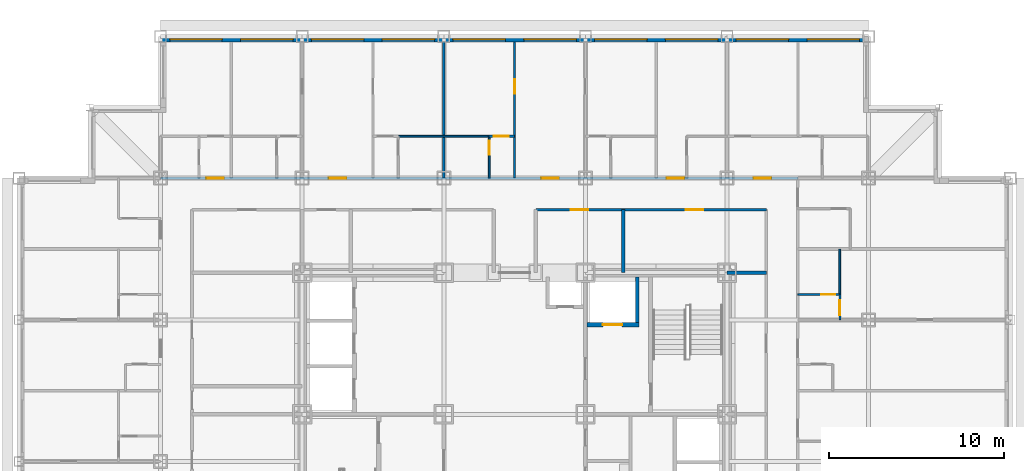
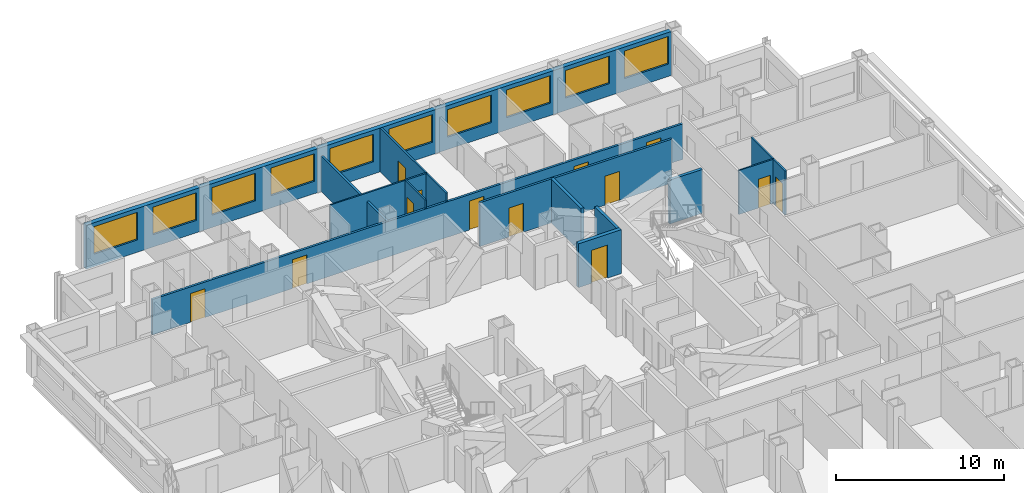
# One storey, part 11 of 15: 15 walls, 13 doors, 10 windows, 23 openings.
"""IFC4 building model written with IfcOpenShell, lengths in metres."""

import ifcopenshell
import ifcopenshell.guid

model = None  # the IFC model being written
_history = None  # IfcOwnerHistory: only IFC2X3 demands one
_inside = {}  # id of a spatial element -> (the spatial element, [elements in it])
_under = {}  # id of a project, library or spatial element -> (it, [spatial elements below it])
_declared = {}  # id of a project -> (the project, [libraries it declares])
_typed = {}  # id of a type object -> (the type object, [elements of that type])
_made_of = {}  # id of a material, layer set ... -> (it, [elements and type objects made of it])


def new_model(schema):
    """Start an empty IFC model of exactly this schema.

    Asked for "IFC4X3", IfcOpenShell would pick the latest addendum, in which some entities
    have other attributes; the version numbers below select the first issue.
    IFC2X3 requires an IfcOwnerHistory on every rooted entity: one is made here for all.
    """
    global model, _history
    if schema == "IFC4X3":
        model = ifcopenshell.file(schema_version=(4, 3, 0, 0))
    else:
        model = ifcopenshell.file(schema=schema)
    _inside.clear()
    _under.clear()
    _declared.clear()
    _typed.clear()
    _made_of.clear()
    _history = None
    if model.schema == "IFC2X3":
        org = make("IfcOrganization", Name="unknown")
        user = make(
            "IfcPersonAndOrganization",
            ThePerson=make("IfcPerson", FamilyName="unknown"),
            TheOrganization=org,
        )
        app = make(
            "IfcApplication",
            ApplicationDeveloper=org,
            Version="unknown",
            ApplicationFullName="unknown",
            ApplicationIdentifier="unknown",
        )
        _history = make(
            "IfcOwnerHistory",
            OwningUser=user,
            OwningApplication=app,
            ChangeAction="ADDED",
            CreationDate=0,
        )
    return model


def make(cls, **values):
    """One entity of the class cls with the attributes given. An attribute that is None is left unset."""
    return model.create_entity(
        cls, **{name: value for name, value in values.items() if value is not None}
    )


def rooted(cls, **values):
    """An entity with a GlobalId (a new one), such as an element, a storey or a relation."""
    return make(cls, GlobalId=ifcopenshell.guid.new(), OwnerHistory=_history, **values)


def si_unit(unit_type, name, prefix=None):
    """IfcSIUnit, for example si_unit("LENGTHUNIT", "METRE", prefix="MILLI")."""
    return make("IfcSIUnit", UnitType=unit_type, Prefix=prefix, Name=name)


def assignment(units):
    """IfcUnitAssignment: the units of a project."""
    return None if units is None else make("IfcUnitAssignment", Units=units)


def point(xyz):
    """IfcCartesianPoint."""
    return None if xyz is None else make("IfcCartesianPoint", Coordinates=xyz)


def direction(xyz):
    """IfcDirection."""
    return None if xyz is None else make("IfcDirection", DirectionRatios=xyz)


def frame(location, z_axis=None, x_axis=None):
    """IfcAxis2Placement3D, a coordinate frame: its origin and axes. An axis left out is left unset."""
    return make(
        "IfcAxis2Placement3D",
        Location=point(location),
        Axis=direction(z_axis),
        RefDirection=direction(x_axis),
    )


def frame_2d(location, x_axis=None):
    """IfcAxis2Placement2D, a coordinate frame in the plane: its origin and x axis."""
    return make(
        "IfcAxis2Placement2D", Location=point(location), RefDirection=direction(x_axis)
    )


def origin():
    """The frame at (0, 0, 0) with its axes left unset."""
    return frame((0.0, 0.0, 0.0))


def place(relative_to, where):
    """IfcLocalPlacement: puts the frame where relative to a parent placement (None: the world)."""
    return make(
        "IfcLocalPlacement", PlacementRelTo=relative_to, RelativePlacement=where
    )


def context(
    kind, dimensions, precision=None, world=None, true_north=None, identifier=None
):
    """IfcGeometricRepresentationContext, for example the 3D "Model" context."""
    return make(
        "IfcGeometricRepresentationContext",
        ContextIdentifier=identifier,
        ContextType=kind,
        CoordinateSpaceDimension=dimensions,
        Precision=precision,
        WorldCoordinateSystem=world,
        TrueNorth=true_north,
    )


def subcontext(parent, identifier, kind, view, scale=None):
    """IfcGeometricRepresentationSubContext, for example "Body" below "Model"."""
    return make(
        "IfcGeometricRepresentationSubContext",
        ContextIdentifier=identifier,
        ContextType=kind,
        ParentContext=parent,
        TargetScale=scale,
        TargetView=view,
    )


def project(units=None, contexts=None):
    """IfcProject with its units and contexts."""
    return rooted(
        "IfcProject",
        Name="project",
        RepresentationContexts=contexts,
        UnitsInContext=assignment(units),
    )


def spatial(cls, under=None, at=None, **own):
    """A site, building, storey or space (cls), placed at a placement, below another one or the project."""
    s = rooted(cls, ObjectPlacement=at, **own)
    if under is not None:
        _under.setdefault(under.id(), (under, []))[1].append(s)
    return s


def profile(cls, at=None, kind="AREA", **sizes):
    """A parametric profile (cls). Its sizes go by their IFC names, for example OverallWidth=200.0."""
    return make(cls, ProfileType=kind, Position=at, **sizes)


def rectangle(**sizes):
    """IfcRectangleProfileDef."""
    return profile("IfcRectangleProfileDef", **sizes)


def extrude(swept, where, along, depth):
    """IfcExtrudedAreaSolid: the profile swept, set in the frame where, extruded along a direction by depth."""
    return make(
        "IfcExtrudedAreaSolid",
        SweptArea=swept,
        Position=where,
        ExtrudedDirection=direction(along),
        Depth=depth,
    )


def shape(context_of_items, identifier, shape_type, items):
    """IfcShapeRepresentation: the items that make up one representation, for example the "Body"."""
    return make(
        "IfcShapeRepresentation",
        ContextOfItems=context_of_items,
        RepresentationIdentifier=identifier,
        RepresentationType=shape_type,
        Items=items,
    )


def material(Name=None, Category=None):
    """IfcMaterial."""
    return make("IfcMaterial", Name=Name, Category=Category)


def layer(
    of_material, thickness, ventilated=None, Name=None, Category=None, Priority=None
):
    """IfcMaterialLayer: one layer of a wall or slab, of a material (None: an air gap)."""
    return make(
        "IfcMaterialLayer",
        Material=of_material,
        LayerThickness=thickness,
        IsVentilated=ventilated,
        Name=Name,
        Category=Category,
        Priority=Priority,
    )


def layer_set(layers, Name=None):
    """IfcMaterialLayerSet."""
    return make("IfcMaterialLayerSet", MaterialLayers=layers, LayerSetName=Name)


def made_of(thing, what):
    """Note that an element or type object is made of a material, layer set ...; save() writes the relation."""
    if what is not None:
        _made_of.setdefault(what.id(), (what, []))[1].append(thing)
    return thing


def type_object(cls, material=None, **own):
    """A type object (cls), such as IfcWallType, which elements share."""
    return made_of(rooted(cls, **own), material)


def element(
    cls,
    number,
    at=None,
    inside=None,
    cuts=None,
    type_object=None,
    material=None,
    context=None,
    identifier="Body",
    shape_type=None,
    held_by="IfcProductDefinitionShape",
    body=None,
    shapes=None,
    **own,
):
    """One element of the class cls, such as IfcWall. Its Tag is "e" and its number.

    at: its placement. inside: the storey or other place that contains it. cuts: it is an
    opening in that element (IfcRelVoidsElement). A single representation is given by context,
    identifier, shape_type and body (its items); several are given by shapes. held_by: the class
    of the entity that holds the representations. save() writes the other relations.
    """
    e = rooted(cls, Tag="e%d" % number, ObjectPlacement=at, **own)
    if body is not None:
        shapes = [shape(context, identifier, shape_type, body)]
    if shapes is not None:
        e.Representation = make(held_by, Representations=shapes)
    if inside is not None:
        _inside.setdefault(inside.id(), (inside, []))[1].append(e)
    if cuts is not None:
        rooted(
            "IfcRelVoidsElement", RelatingBuildingElement=cuts, RelatedOpeningElement=e
        )
    if type_object is not None:
        _typed.setdefault(type_object.id(), (type_object, []))[1].append(e)
    return made_of(e, material)


def fill(opening, filler):
    """IfcRelFillsElement: the door or window that sits in an opening."""
    return rooted(
        "IfcRelFillsElement",
        RelatingOpeningElement=opening,
        RelatedBuildingElement=filler,
    )


def aggregate(whole, parts):
    """IfcRelAggregates: a whole, such as a stair, and the parts it consists of."""
    return rooted("IfcRelAggregates", RelatingObject=whole, RelatedObjects=parts)


def save(model, path):
    """Write the relations noted so far, then the file.

    IfcRelAggregates (storeys below a building ...), IfcRelContainedInSpatialStructure (elements
    in a storey), IfcRelDefinesByType, IfcRelAssociatesMaterial and IfcRelDeclares: one each for
    every whole, place, type object, material and project.
    """
    for whole, parts in _under.values():
        aggregate(whole, parts)
    for where, things in _inside.values():
        rooted(
            "IfcRelContainedInSpatialStructure",
            RelatedElements=things,
            RelatingStructure=where,
        )
    for kind, things in _typed.values():
        rooted("IfcRelDefinesByType", RelatedObjects=things, RelatingType=kind)
    for what, things in _made_of.values():
        rooted("IfcRelAssociatesMaterial", RelatedObjects=things, RelatingMaterial=what)
    for by, libraries in _declared.values():
        rooted("IfcRelDeclares", RelatingContext=by, RelatedDefinitions=libraries)
    model.write(path)


model = new_model("IFC4")

# Units and contexts
model_context = context("Model", 3, precision=1e-05, world=origin(), true_north=direction((0.0, 1.0)))
body_context = subcontext(model_context, "Body", "Model", "MODEL_VIEW")
ifc_project = project(units=[si_unit("LENGTHUNIT", "METRE"), si_unit("AREAUNIT", "SQUARE_METRE"), si_unit("VOLUMEUNIT", "CUBIC_METRE"), si_unit("PLANEANGLEUNIT", "RADIAN"), si_unit("MASSUNIT", "GRAM", prefix="KILO")], contexts=[model_context])

# Site, building, storey
site_placement = place(None, origin())
site = spatial("IfcSite", under=ifc_project, at=site_placement, CompositionType="ELEMENT")
building_placement = place(site_placement, origin())
building = spatial("IfcBuilding", under=site, at=building_placement, Name="Kopane Lantern Tower", CompositionType="ELEMENT")
storey_placement = place(building_placement, frame((0.0, 0.0, 140.800048828125)))
storey = spatial("IfcBuildingStorey", under=building, at=storey_placement, Name="L36", CompositionType="ELEMENT", Elevation=140.800048828125)

# Wall, opening, door
ifc_material_1 = material(Name="Gypsum board on steel studs", Category="steel")
ifc_layer_1 = layer(ifc_material_1, 0.1201171875)
ifc_layer_set_1 = layer_set([ifc_layer_1], Name="APARTMENT INTERNAL WALL 120")
wall_type_1 = type_object("IfcWallType", Name="APARTMENT INTERNAL WALL 120", PredefinedType="PARTITIONING", material=ifc_layer_set_1)
wall_1_placement = place(storey_placement, frame((28.35009765625, 45.89990234375, 0.0), z_axis=(0.0, 0.0, 1.0), x_axis=(0.0, 1.0, 0.0)))
wall_1 = element("IfcWall", 1, at=wall_1_placement, inside=storey, type_object=wall_type_1, Name="Apartment Internal Wall 120 L36", PredefinedType="PARTITIONING", context=body_context, shape_type="SweptSolid", body=[
    extrude(rectangle(XDim=7.800048828125, YDim=0.1201171875, at=frame_2d((3.89990234375, 0.0))), origin(), (0.0, 0.0, 1.0), 3.18994140625),
])
opening_1_placement = place(wall_1_placement, frame((4.824951171875, 0.0, 0.0)))
opening_1 = element("IfcOpeningElement", 2, at=opening_1_placement, cuts=wall_1, Name="Opening L36-038", PredefinedType="OPENING", context=body_context, shape_type="SweptSolid", body=[
    extrude(rectangle(XDim=0.85009765625, YDim=2.10009765625, at=frame_2d((0.425048828125, 1.050048828125))), frame((0.0, 0.070068359375, 0.0), z_axis=(0.0, -1.0, 0.0), x_axis=(1.0, 0.0, 0.0)), (0.0, 0.0, 1.0), 0.14013671875),
])
ifc_material_2 = material(Name="Timber door set", Category="wood")
door_type_1 = type_object("IfcDoorType", Name="DOOR D4 850x2100", OperationType="SINGLE_SWING_LEFT", PredefinedType="DOOR", material=ifc_material_2)
door_1_placement = place(opening_1_placement, origin())
door_1 = element("IfcDoor", 3, at=door_1_placement, inside=storey, type_object=door_type_1, Name="Door L36-038", OperationType="SINGLE_SWING_LEFT", OverallHeight=2.10009765625, OverallWidth=0.85009765625, PredefinedType="DOOR", context=body_context, shape_type="SweptSolid", body=[
    extrude(rectangle(XDim=0.85009765625, YDim=2.10009765625, at=frame_2d((0.425048828125, 1.050048828125))), frame((0.0, 0.02490234375, 0.0), z_axis=(0.0, -1.0, 0.0), x_axis=(1.0, 0.0, 0.0)), (0.0, 0.0, 1.0), 0.050048828125),
])
fill(opening_1, door_1)

wall_2_placement = place(storey_placement, frame((26.889892578125, 48.300048828125, 0.0), z_axis=(0.0, 0.0, 1.0), x_axis=(1.0, 0.0, 0.0)))
wall_2 = element("IfcWall", 4, at=wall_2_placement, inside=storey, type_object=wall_type_1, Name="Apartment Internal Wall 120 L36", PredefinedType="PARTITIONING", context=body_context, shape_type="SweptSolid", body=[
    extrude(rectangle(XDim=1.460205078125, YDim=0.1201171875, at=frame_2d((0.72998046875, 0.0))), origin(), (0.0, 0.0, 1.0), 3.18994140625),
])
opening_2_placement = place(wall_2_placement, frame((0.27490234375, 0.0, 0.0)))
opening_2 = element("IfcOpeningElement", 5, at=opening_2_placement, cuts=wall_2, Name="Opening L36-092", PredefinedType="OPENING", context=body_context, shape_type="SweptSolid", body=[
    extrude(rectangle(XDim=0.85009765625, YDim=2.10009765625, at=frame_2d((0.425048828125, 1.050048828125))), frame((0.0, 0.070068359375, 0.0), z_axis=(0.0, -1.0, 0.0), x_axis=(1.0, 0.0, 0.0)), (0.0, 0.0, 1.0), 0.14013671875),
])
door_2_placement = place(opening_2_placement, origin())
door_2 = element("IfcDoor", 6, at=door_2_placement, inside=storey, type_object=door_type_1, Name="Door L36-092", OperationType="SINGLE_SWING_RIGHT", OverallHeight=2.10009765625, OverallWidth=0.85009765625, PredefinedType="DOOR", context=body_context, shape_type="SweptSolid", body=[
    extrude(rectangle(XDim=0.85009765625, YDim=2.10009765625, at=frame_2d((0.425048828125, 1.050048828125))), frame((0.0, 0.02490234375, 0.0), z_axis=(0.0, -1.0, 0.0), x_axis=(1.0, 0.0, 0.0)), (0.0, 0.0, 1.0), 0.050048828125),
])
fill(opening_2, door_2)

wall_3_placement = place(storey_placement, frame((46.949951171875, 39.260009765625, 0.0), z_axis=(0.0, 0.0, 1.0), x_axis=(0.0, -1.0, 0.0)))
wall_3 = element("IfcWall", 7, at=wall_3_placement, inside=storey, type_object=wall_type_1, Name="Apartment Internal Wall 120 L36", PredefinedType="PARTITIONING", context=body_context, shape_type="SweptSolid", body=[
    extrude(rectangle(XDim=1.4599609375, YDim=0.1201171875, at=frame_2d((0.72998046875, 0.0))), origin(), (0.0, 0.0, 1.0), 3.18994140625),
])
opening_3_placement = place(wall_3_placement, frame((0.3349609375, 0.0, 0.0)))
opening_3 = element("IfcOpeningElement", 8, at=opening_3_placement, cuts=wall_3, Name="Opening L36-097", PredefinedType="OPENING", context=body_context, shape_type="SweptSolid", body=[
    extrude(rectangle(XDim=0.85009765625, YDim=2.10009765625, at=frame_2d((0.425048828125, 1.050048828125))), frame((0.0, 0.070068359375, 0.0), z_axis=(0.0, -1.0, 0.0), x_axis=(1.0, 0.0, 0.0)), (0.0, 0.0, 1.0), 0.14013671875),
])
door_3_placement = place(opening_3_placement, origin())
door_3 = element("IfcDoor", 9, at=door_3_placement, inside=storey, type_object=door_type_1, Name="Door L36-097", OperationType="SINGLE_SWING_RIGHT", OverallHeight=2.10009765625, OverallWidth=0.85009765625, PredefinedType="DOOR", context=body_context, shape_type="SweptSolid", body=[
    extrude(rectangle(XDim=0.85009765625, YDim=2.10009765625, at=frame_2d((0.425048828125, 1.050048828125))), frame((0.0, 0.02490234375, 0.0), z_axis=(0.0, -1.0, 0.0), x_axis=(1.0, 0.0, 0.0)), (0.0, 0.0, 1.0), 0.050048828125),
])
fill(opening_3, door_3)

# Wall
ifc_material_3 = material(Name="Moisture-resistant board on steel studs", Category="steel")
ifc_layer_2 = layer(ifc_material_3, 0.10009765625)
ifc_layer_set_2 = layer_set([ifc_layer_2], Name="BATHROOM WALL 100")
wall_type_2 = type_object("IfcWallType", Name="BATHROOM WALL 100", PredefinedType="PARTITIONING", material=ifc_layer_set_2)
wall_4_placement = place(storey_placement, frame((21.699951171875, 48.300048828125, 0.0), z_axis=(0.0, 0.0, 1.0), x_axis=(1.0, 0.0, 0.0)))
element("IfcWall", 10, at=wall_4_placement, inside=storey, type_object=wall_type_2, Name="Bathroom Wall 100 L36", PredefinedType="PARTITIONING", context=body_context, shape_type="SweptSolid", body=[
    extrude(rectangle(XDim=5.199951171875, YDim=0.10009765625, at=frame_2d((2.60009765625, 0.0))), origin(), (0.0, 0.0, 1.0), 3.18994140625),
])

# Wall, opening, door
wall_5_placement = place(storey_placement, frame((26.89990234375, 45.89990234375, 0.0), z_axis=(0.0, 0.0, 1.0), x_axis=(0.0, 1.0, 0.0)))
wall_5 = element("IfcWall", 11, at=wall_5_placement, inside=storey, type_object=wall_type_2, Name="Bathroom Wall 100 L36", PredefinedType="PARTITIONING", context=body_context, shape_type="SweptSolid", body=[
    extrude(rectangle(XDim=2.400146484375, YDim=0.10009765625, at=frame_2d((1.2001953125, 0.0))), origin(), (0.0, 0.0, 1.0), 3.18994140625),
])
opening_4_placement = place(wall_5_placement, frame((1.35009765625, 0.0, 0.0)))
opening_4 = element("IfcOpeningElement", 12, at=opening_4_placement, cuts=wall_5, Name="Opening L36-037", PredefinedType="OPENING", context=body_context, shape_type="SweptSolid", body=[
    extrude(rectangle(XDim=0.800048828125, YDim=2.10009765625, at=frame_2d((0.39990234375, 1.050048828125))), frame((0.0, 0.06005859375, 0.0), z_axis=(0.0, -1.0, 0.0), x_axis=(1.0, 0.0, 0.0)), (0.0, 0.0, 1.0), 0.1201171875),
])
ifc_material_4 = material(Name="Timber door set", Category="wood")
door_type_2 = type_object("IfcDoorType", Name="DOOR D2 800x2100", OperationType="SINGLE_SWING_LEFT", PredefinedType="DOOR", material=ifc_material_4)
door_4_placement = place(opening_4_placement, origin())
door_4 = element("IfcDoor", 13, at=door_4_placement, inside=storey, type_object=door_type_2, Name="Door L36-037", OperationType="SINGLE_SWING_LEFT", OverallHeight=2.10009765625, OverallWidth=0.800048828125, PredefinedType="DOOR", context=body_context, shape_type="SweptSolid", body=[
    extrude(rectangle(XDim=0.800048828125, YDim=2.10009765625, at=frame_2d((0.39990234375, 1.050048828125))), frame((0.0, 0.02490234375, 0.0), z_axis=(0.0, -1.0, 0.0), x_axis=(1.0, 0.0, 0.0)), (0.0, 0.0, 1.0), 0.050048828125),
])
fill(opening_4, door_4)

# Wall
wall_6_placement = place(storey_placement, frame((46.949951171875, 39.25, 0.0), z_axis=(0.0, 0.0, 1.0), x_axis=(0.0, 1.0, 0.0)))
element("IfcWall", 14, at=wall_6_placement, inside=storey, type_object=wall_type_2, Name="Bathroom Wall 100 L36", PredefinedType="PARTITIONING", context=body_context, shape_type="SweptSolid", body=[
    extrude(rectangle(XDim=2.60009765625, YDim=0.10009765625, at=frame_2d((1.300048828125, 0.0))), origin(), (0.0, 0.0, 1.0), 3.18994140625),
])

# Wall, opening, door
wall_7_placement = place(storey_placement, frame((44.550048828125, 39.25, 0.0), z_axis=(0.0, 0.0, 1.0), x_axis=(1.0, 0.0, 0.0)))
wall_7 = element("IfcWall", 15, at=wall_7_placement, inside=storey, type_object=wall_type_2, Name="Bathroom Wall 100 L36", PredefinedType="PARTITIONING", context=body_context, shape_type="SweptSolid", body=[
    extrude(rectangle(XDim=2.39990234375, YDim=0.10009765625, at=frame_2d((1.199951171875, 0.0))), origin(), (0.0, 0.0, 1.0), 3.18994140625),
])
opening_5_placement = place(wall_7_placement, frame((1.35009765625, 0.0, 0.0)))
opening_5 = element("IfcOpeningElement", 16, at=opening_5_placement, cuts=wall_7, Name="Opening L36-066", PredefinedType="OPENING", context=body_context, shape_type="SweptSolid", body=[
    extrude(rectangle(XDim=0.800048828125, YDim=2.10009765625, at=frame_2d((0.39990234375, 1.050048828125))), frame((0.0, 0.06005859375, 0.0), z_axis=(0.0, -1.0, 0.0), x_axis=(1.0, 0.0, 0.0)), (0.0, 0.0, 1.0), 0.1201171875),
])
door_5_placement = place(opening_5_placement, origin())
door_5 = element("IfcDoor", 17, at=door_5_placement, inside=storey, type_object=door_type_2, Name="Door L36-066", OperationType="SINGLE_SWING_LEFT", OverallHeight=2.10009765625, OverallWidth=0.800048828125, PredefinedType="DOOR", context=body_context, shape_type="SweptSolid", body=[
    extrude(rectangle(XDim=0.800048828125, YDim=2.10009765625, at=frame_2d((0.39990234375, 1.050048828125))), frame((0.0, 0.02490234375, 0.0), z_axis=(0.0, -1.0, 0.0), x_axis=(1.0, 0.0, 0.0)), (0.0, 0.0, 1.0), 0.050048828125),
])
fill(opening_5, door_5)

ifc_material_5 = material(Name="Gypsum shaft wall EI 120", Category="gypsum")
ifc_layer_3 = layer(ifc_material_5, 0.25)
ifc_layer_set_3 = layer_set([ifc_layer_3], Name="CORE SHAFT WALL 250 EI 120")
wall_type_3 = type_object("IfcWallType", Name="CORE SHAFT WALL 250 EI 120", PredefinedType="SOLIDWALL", material=ifc_layer_set_3)
wall_8_placement = place(storey_placement, frame((32.5, 37.52490234375, 0.0), z_axis=(0.0, 0.0, 1.0), x_axis=(1.0, 0.0, 0.0)))
wall_8 = element("IfcWall", 18, at=wall_8_placement, inside=storey, type_object=wall_type_3, Name="Core shaft wall L36 YLF2", PredefinedType="SOLIDWALL", context=body_context, shape_type="SweptSolid", body=[
    extrude(rectangle(XDim=2.949951171875, YDim=0.25, at=frame_2d((1.47509765625, 0.0))), origin(), (0.0, 0.0, 1.0), 3.18994140625),
])
opening_6_placement = place(wall_8_placement, frame((0.89990234375, 0.0, 0.0)))
opening_6 = element("IfcOpeningElement", 19, at=opening_6_placement, cuts=wall_8, Name="Opening 36.LD-LF2", PredefinedType="OPENING", context=body_context, shape_type="SweptSolid", body=[
    extrude(rectangle(XDim=1.10009765625, YDim=2.39990234375, at=frame_2d((0.550048828125, 1.199951171875))), frame((0.0, 0.135009765625, 0.0), z_axis=(0.0, -1.0, 0.0), x_axis=(1.0, 0.0, 0.0)), (0.0, 0.0, 1.0), 0.27001953125),
])
ifc_material_6 = material(Name="Steel door set", Category="steel")
door_type_3 = type_object("IfcDoorType", Name="LIFT LANDING DOOR 1100x2400 FD60", OperationType="DOUBLE_DOOR_SLIDING", PredefinedType="DOOR", material=ifc_material_6)
door_6_placement = place(opening_6_placement, origin())
door_6 = element("IfcDoor", 20, at=door_6_placement, inside=storey, type_object=door_type_3, Name="Landing door LF2 L36", OperationType="DOUBLE_DOOR_SLIDING", OverallHeight=2.39990234375, OverallWidth=1.10009765625, PredefinedType="DOOR", context=body_context, shape_type="SweptSolid", body=[
    extrude(rectangle(XDim=1.10009765625, YDim=2.39990234375, at=frame_2d((0.550048828125, 1.199951171875))), frame((0.0, 0.02490234375, 0.0), z_axis=(0.0, -1.0, 0.0), x_axis=(1.0, 0.0, 0.0)), (0.0, 0.0, 1.0), 0.050048828125),
])
fill(opening_6, door_6)

# Wall, openings, doors
ifc_material_7 = material(Name="Gypsum board on steel studs", Category="steel")
ifc_layer_4 = layer(ifc_material_7, 0.14990234375)
ifc_layer_set_4 = layer_set([ifc_layer_4], Name="CORRIDOR WALL 150 EI 60")
wall_type_4 = type_object("IfcWallType", Name="CORRIDOR WALL 150 EI 60", PredefinedType="PARTITIONING", material=ifc_layer_set_4)
wall_9_placement = place(storey_placement, frame((8.10009765625, 45.89990234375, 0.0), z_axis=(0.0, 0.0, 1.0), x_axis=(1.0, 0.0, 0.0)))
wall_9 = element("IfcWall", 21, at=wall_9_placement, inside=storey, type_object=wall_type_4, Name="Corridor Wall 150 Ei 60 L36", PredefinedType="PARTITIONING", context=body_context, shape_type="SweptSolid", body=[
    extrude(rectangle(XDim=36.449951171875, YDim=0.14990234375, at=frame_2d((18.22509765625, 0.0))), origin(), (0.0, 0.0, 1.0), 2.57763671875),
])
opening_7_placement = place(wall_9_placement, frame((9.625, 0.0, 0.0)))
opening_7 = element("IfcOpeningElement", 22, at=opening_7_placement, cuts=wall_9, Name="Opening L36-031", PredefinedType="OPENING", context=body_context, shape_type="SweptSolid", body=[
    extrude(rectangle(XDim=1.0, YDim=2.10009765625, at=frame_2d((0.5, 1.050048828125))), frame((0.0, 0.0849609375, 0.0), z_axis=(0.0, -1.0, 0.0), x_axis=(1.0, 0.0, 0.0)), (0.0, 0.0, 1.0), 0.169921875),
])
opening_8_placement = place(wall_9_placement, frame((21.77490234375, 0.0, 0.0)))
opening_8 = element("IfcOpeningElement", 23, at=opening_8_placement, cuts=wall_9, Name="Opening L36-036", PredefinedType="OPENING", context=body_context, shape_type="SweptSolid", body=[
    extrude(rectangle(XDim=1.0, YDim=2.10009765625, at=frame_2d((0.5, 1.050048828125))), frame((0.0, 0.0849609375, 0.0), z_axis=(0.0, -1.0, 0.0), x_axis=(1.0, 0.0, 0.0)), (0.0, 0.0, 1.0), 0.169921875),
])
opening_9_placement = place(wall_9_placement, frame((28.949951171875, 0.0, 0.0)))
opening_9 = element("IfcOpeningElement", 24, at=opening_9_placement, cuts=wall_9, Name="Opening L36-042", PredefinedType="OPENING", context=body_context, shape_type="SweptSolid", body=[
    extrude(rectangle(XDim=1.0, YDim=2.10009765625, at=frame_2d((0.5, 1.050048828125))), frame((0.0, 0.0849609375, 0.0), z_axis=(0.0, -1.0, 0.0), x_axis=(1.0, 0.0, 0.0)), (0.0, 0.0, 1.0), 0.169921875),
])
opening_10_placement = place(wall_9_placement, frame((33.925048828125, 0.0, 0.0)))
opening_10 = element("IfcOpeningElement", 25, at=opening_10_placement, cuts=wall_9, Name="Opening L36-080", PredefinedType="OPENING", context=body_context, shape_type="SweptSolid", body=[
    extrude(rectangle(XDim=1.0, YDim=2.10009765625, at=frame_2d((0.5, 1.050048828125))), frame((0.0, 0.0849609375, 0.0), z_axis=(0.0, -1.0, 0.0), x_axis=(1.0, 0.0, 0.0)), (0.0, 0.0, 1.0), 0.169921875),
])
opening_11_placement = place(wall_9_placement, frame((2.625, 0.0, 0.0)))
opening_11 = element("IfcOpeningElement", 26, at=opening_11_placement, cuts=wall_9, Name="Opening L36-085", PredefinedType="OPENING", context=body_context, shape_type="SweptSolid", body=[
    extrude(rectangle(XDim=1.0, YDim=2.10009765625, at=frame_2d((0.5, 1.050048828125))), frame((0.0, 0.0849609375, 0.0), z_axis=(0.0, -1.0, 0.0), x_axis=(1.0, 0.0, 0.0)), (0.0, 0.0, 1.0), 0.169921875),
])
ifc_material_8 = material(Name="Steel door set", Category="steel")
door_type_4 = type_object("IfcDoorType", Name="DOOR D1 1000x2100 FD30S", OperationType="SINGLE_SWING_LEFT", PredefinedType="DOOR", material=ifc_material_8)
door_7_placement = place(opening_7_placement, origin())
door_7 = element("IfcDoor", 27, at=door_7_placement, inside=storey, type_object=door_type_4, Name="Door L36-031", OperationType="SINGLE_SWING_RIGHT", OverallHeight=2.10009765625, OverallWidth=1.0, PredefinedType="DOOR", context=body_context, shape_type="SweptSolid", body=[
    extrude(rectangle(XDim=1.0, YDim=2.10009765625, at=frame_2d((0.5, 1.050048828125))), frame((0.0, 0.02490234375, 0.0), z_axis=(0.0, -1.0, 0.0), x_axis=(1.0, 0.0, 0.0)), (0.0, 0.0, 1.0), 0.050048828125),
])
fill(opening_7, door_7)
door_8_placement = place(opening_8_placement, origin())
door_8 = element("IfcDoor", 28, at=door_8_placement, inside=storey, type_object=door_type_4, Name="Door L36-036", OperationType="SINGLE_SWING_LEFT", OverallHeight=2.10009765625, OverallWidth=1.0, PredefinedType="DOOR", context=body_context, shape_type="SweptSolid", body=[
    extrude(rectangle(XDim=1.0, YDim=2.10009765625, at=frame_2d((0.5, 1.050048828125))), frame((0.0, 0.02490234375, 0.0), z_axis=(0.0, -1.0, 0.0), x_axis=(1.0, 0.0, 0.0)), (0.0, 0.0, 1.0), 0.050048828125),
])
fill(opening_8, door_8)
door_9_placement = place(opening_9_placement, origin())
door_9 = element("IfcDoor", 29, at=door_9_placement, inside=storey, type_object=door_type_4, Name="Door L36-042", OperationType="SINGLE_SWING_RIGHT", OverallHeight=2.10009765625, OverallWidth=1.0, PredefinedType="DOOR", context=body_context, shape_type="SweptSolid", body=[
    extrude(rectangle(XDim=1.0, YDim=2.10009765625, at=frame_2d((0.5, 1.050048828125))), frame((0.0, 0.02490234375, 0.0), z_axis=(0.0, -1.0, 0.0), x_axis=(1.0, 0.0, 0.0)), (0.0, 0.0, 1.0), 0.050048828125),
])
fill(opening_9, door_9)
door_10_placement = place(opening_10_placement, origin())
door_10 = element("IfcDoor", 30, at=door_10_placement, inside=storey, type_object=door_type_4, Name="Door L36-080", OperationType="SINGLE_SWING_LEFT", OverallHeight=2.10009765625, OverallWidth=1.0, PredefinedType="DOOR", context=body_context, shape_type="SweptSolid", body=[
    extrude(rectangle(XDim=1.0, YDim=2.10009765625, at=frame_2d((0.5, 1.050048828125))), frame((0.0, 0.02490234375, 0.0), z_axis=(0.0, -1.0, 0.0), x_axis=(1.0, 0.0, 0.0)), (0.0, 0.0, 1.0), 0.050048828125),
])
fill(opening_10, door_10)
door_11_placement = place(opening_11_placement, origin())
door_11 = element("IfcDoor", 31, at=door_11_placement, inside=storey, type_object=door_type_4, Name="Door L36-085", OperationType="SINGLE_SWING_LEFT", OverallHeight=2.10009765625, OverallWidth=1.0, PredefinedType="DOOR", context=body_context, shape_type="SweptSolid", body=[
    extrude(rectangle(XDim=1.0, YDim=2.10009765625, at=frame_2d((0.5, 1.050048828125))), frame((0.0, 0.02490234375, 0.0), z_axis=(0.0, -1.0, 0.0), x_axis=(1.0, 0.0, 0.0)), (0.0, 0.0, 1.0), 0.050048828125),
])
fill(opening_11, door_11)

wall_10_placement = place(storey_placement, frame((42.75, 44.10009765625, 0.0), z_axis=(0.0, 0.0, 1.0), x_axis=(-1.0, 0.0, 0.0)))
wall_10 = element("IfcWall", 32, at=wall_10_placement, inside=storey, type_object=wall_type_4, Name="Corridor Wall 150 Ei 60 L36", PredefinedType="PARTITIONING", context=body_context, shape_type="SweptSolid", body=[
    extrude(rectangle(XDim=13.18994140625, YDim=0.14990234375, at=frame_2d((6.594970703125, 0.0))), origin(), (0.0, 0.0, 1.0), 3.18994140625),
])
opening_12_placement = place(wall_10_placement, frame((10.199951171875, 0.0, 0.0)))
opening_12 = element("IfcOpeningElement", 33, at=opening_12_placement, cuts=wall_10, Name="Opening L36-016", PredefinedType="OPENING", context=body_context, shape_type="SweptSolid", body=[
    extrude(rectangle(XDim=1.0, YDim=2.10009765625, at=frame_2d((0.5, 1.050048828125))), frame((0.0, 0.0849609375, 0.0), z_axis=(0.0, -1.0, 0.0), x_axis=(1.0, 0.0, 0.0)), (0.0, 0.0, 1.0), 0.169921875),
])
opening_13_placement = place(wall_10_placement, frame((3.60009765625, 0.0, 0.0)))
opening_13 = element("IfcOpeningElement", 34, at=opening_13_placement, cuts=wall_10, Name="Opening L36-017", PredefinedType="OPENING", context=body_context, shape_type="SweptSolid", body=[
    extrude(rectangle(XDim=1.0, YDim=2.10009765625, at=frame_2d((0.5, 1.050048828125))), frame((0.0, 0.0849609375, 0.0), z_axis=(0.0, -1.0, 0.0), x_axis=(1.0, 0.0, 0.0)), (0.0, 0.0, 1.0), 0.169921875),
])
ifc_material_9 = material(Name="Steel door set", Category="steel")
door_type_5 = type_object("IfcDoorType", Name="DOOR D5 1000x2100 FD60", OperationType="SINGLE_SWING_LEFT", PredefinedType="DOOR", material=ifc_material_9)
door_12_placement = place(opening_12_placement, origin())
door_12 = element("IfcDoor", 35, at=door_12_placement, inside=storey, type_object=door_type_5, Name="Door L36-016", OperationType="SINGLE_SWING_RIGHT", OverallHeight=2.10009765625, OverallWidth=1.0, PredefinedType="DOOR", context=body_context, shape_type="SweptSolid", body=[
    extrude(rectangle(XDim=1.0, YDim=2.10009765625, at=frame_2d((0.5, 1.050048828125))), frame((0.0, 0.02490234375, 0.0), z_axis=(0.0, -1.0, 0.0), x_axis=(1.0, 0.0, 0.0)), (0.0, 0.0, 1.0), 0.050048828125),
])
fill(opening_12, door_12)
door_13_placement = place(opening_13_placement, origin())
door_13 = element("IfcDoor", 36, at=door_13_placement, inside=storey, type_object=door_type_5, Name="Door L36-017", OperationType="SINGLE_SWING_LEFT", OverallHeight=2.10009765625, OverallWidth=1.0, PredefinedType="DOOR", context=body_context, shape_type="SweptSolid", body=[
    extrude(rectangle(XDim=1.0, YDim=2.10009765625, at=frame_2d((0.5, 1.050048828125))), frame((0.0, 0.02490234375, 0.0), z_axis=(0.0, -1.0, 0.0), x_axis=(1.0, 0.0, 0.0)), (0.0, 0.0, 1.0), 0.050048828125),
])
fill(opening_13, door_13)

# Wall
ifc_material_10 = material(Name="Gypsum board on steel studs", Category="steel")
ifc_layer_5 = layer(ifc_material_10, 0.14990234375)
ifc_layer_set_5 = layer_set([ifc_layer_5], Name="DEMISING WALL 150 EI 60")
wall_type_5 = type_object("IfcWallType", Name="DEMISING WALL 150 EI 60", PredefinedType="PARTITIONING", material=ifc_layer_set_5)
wall_11_placement = place(storey_placement, frame((24.300048828125, 45.89990234375, 0.0), z_axis=(0.0, 0.0, 1.0), x_axis=(0.0, 1.0, 0.0)))
element("IfcWall", 37, at=wall_11_placement, inside=storey, type_object=wall_type_5, Name="Demising Wall 150 Ei 60 L36", PredefinedType="PARTITIONING", context=body_context, shape_type="SweptSolid", body=[
    extrude(rectangle(XDim=7.800048828125, YDim=0.14990234375, at=frame_2d((3.89990234375, 0.0))), origin(), (0.0, 0.0, 1.0), 2.57763671875),
])

# Wall, openings, windows
ifc_material_11 = material(Name="Terracotta rainscreen on light steel framing", Category="masonry")
ifc_layer_6 = layer(ifc_material_11, 0.300048828125)
ifc_layer_set_6 = layer_set([ifc_layer_6], Name="EXTERNAL WALL EW1 300 TERRACOTTA")
wall_type_6 = type_object("IfcWallType", Name="EXTERNAL WALL EW1 300 TERRACOTTA", PredefinedType="SOLIDWALL", material=ifc_layer_set_6)
wall_12_placement = place(storey_placement, frame((48.300048828125, 53.85009765625, 0.0), z_axis=(0.0, 0.0, 1.0), x_axis=(-1.0, 0.0, 0.0)))
wall_12 = element("IfcWall", 38, at=wall_12_placement, inside=storey, type_object=wall_type_6, Name="External wall N L36", PredefinedType="SOLIDWALL", context=body_context, shape_type="SweptSolid", body=[
    extrude(rectangle(XDim=40.199951171875, YDim=0.300048828125, at=frame_2d((20.10009765625, 0.0))), origin(), (0.0, 0.0, 1.0), 3.18994140625),
])
opening_14_placement = place(wall_12_placement, frame((0.22509765625, 0.0, 0.89990234375)))
opening_14 = element("IfcOpeningElement", 39, at=opening_14_placement, cuts=wall_12, Name="Opening WR300200", PredefinedType="OPENING", context=body_context, shape_type="SweptSolid", body=[
    extrude(rectangle(XDim=3.0, YDim=2.0, at=frame_2d((1.5, 1.0))), frame((0.0, 0.159912109375, 0.0), z_axis=(0.0, -1.0, 0.0), x_axis=(1.0, 0.0, 0.0)), (0.0, 0.0, 1.0), 0.320068359375),
])
opening_15_placement = place(wall_12_placement, frame((4.27490234375, 0.0, 0.89990234375)))
opening_15 = element("IfcOpeningElement", 40, at=opening_15_placement, cuts=wall_12, Name="Opening WR300200", PredefinedType="OPENING", context=body_context, shape_type="SweptSolid", body=[
    extrude(rectangle(XDim=3.0, YDim=2.0, at=frame_2d((1.5, 1.0))), frame((0.0, 0.159912109375, 0.0), z_axis=(0.0, -1.0, 0.0), x_axis=(1.0, 0.0, 0.0)), (0.0, 0.0, 1.0), 0.320068359375),
])
opening_16_placement = place(wall_12_placement, frame((8.324951171875, 0.0, 0.89990234375)))
opening_16 = element("IfcOpeningElement", 41, at=opening_16_placement, cuts=wall_12, Name="Opening WR300200", PredefinedType="OPENING", context=body_context, shape_type="SweptSolid", body=[
    extrude(rectangle(XDim=3.0, YDim=2.0, at=frame_2d((1.5, 1.0))), frame((0.0, 0.159912109375, 0.0), z_axis=(0.0, -1.0, 0.0), x_axis=(1.0, 0.0, 0.0)), (0.0, 0.0, 1.0), 0.320068359375),
])
opening_17_placement = place(wall_12_placement, frame((12.375, 0.0, 0.89990234375)))
opening_17 = element("IfcOpeningElement", 42, at=opening_17_placement, cuts=wall_12, Name="Opening WR300200", PredefinedType="OPENING", context=body_context, shape_type="SweptSolid", body=[
    extrude(rectangle(XDim=3.0, YDim=2.0, at=frame_2d((1.5, 1.0))), frame((0.0, 0.159912109375, 0.0), z_axis=(0.0, -1.0, 0.0), x_axis=(1.0, 0.0, 0.0)), (0.0, 0.0, 1.0), 0.320068359375),
])
opening_18_placement = place(wall_12_placement, frame((16.425048828125, 0.0, 0.89990234375)))
opening_18 = element("IfcOpeningElement", 43, at=opening_18_placement, cuts=wall_12, Name="Opening WR300200", PredefinedType="OPENING", context=body_context, shape_type="SweptSolid", body=[
    extrude(rectangle(XDim=3.0, YDim=2.0, at=frame_2d((1.5, 1.0))), frame((0.0, 0.159912109375, 0.0), z_axis=(0.0, -1.0, 0.0), x_axis=(1.0, 0.0, 0.0)), (0.0, 0.0, 1.0), 0.320068359375),
])
opening_19_placement = place(wall_12_placement, frame((20.47509765625, 0.0, 0.89990234375)))
opening_19 = element("IfcOpeningElement", 44, at=opening_19_placement, cuts=wall_12, Name="Opening WR300200", PredefinedType="OPENING", context=body_context, shape_type="SweptSolid", body=[
    extrude(rectangle(XDim=3.0, YDim=2.0, at=frame_2d((1.5, 1.0))), frame((0.0, 0.159912109375, 0.0), z_axis=(0.0, -1.0, 0.0), x_axis=(1.0, 0.0, 0.0)), (0.0, 0.0, 1.0), 0.320068359375),
])
opening_20_placement = place(wall_12_placement, frame((24.52490234375, 0.0, 0.89990234375)))
opening_20 = element("IfcOpeningElement", 45, at=opening_20_placement, cuts=wall_12, Name="Opening WR300200", PredefinedType="OPENING", context=body_context, shape_type="SweptSolid", body=[
    extrude(rectangle(XDim=3.0, YDim=2.0, at=frame_2d((1.5, 1.0))), frame((0.0, 0.159912109375, 0.0), z_axis=(0.0, -1.0, 0.0), x_axis=(1.0, 0.0, 0.0)), (0.0, 0.0, 1.0), 0.320068359375),
])
opening_21_placement = place(wall_12_placement, frame((28.574951171875, 0.0, 0.89990234375)))
opening_21 = element("IfcOpeningElement", 46, at=opening_21_placement, cuts=wall_12, Name="Opening WR300200", PredefinedType="OPENING", context=body_context, shape_type="SweptSolid", body=[
    extrude(rectangle(XDim=3.0, YDim=2.0, at=frame_2d((1.5, 1.0))), frame((0.0, 0.159912109375, 0.0), z_axis=(0.0, -1.0, 0.0), x_axis=(1.0, 0.0, 0.0)), (0.0, 0.0, 1.0), 0.320068359375),
])
opening_22_placement = place(wall_12_placement, frame((32.625, 0.0, 0.89990234375)))
opening_22 = element("IfcOpeningElement", 47, at=opening_22_placement, cuts=wall_12, Name="Opening WR300200", PredefinedType="OPENING", context=body_context, shape_type="SweptSolid", body=[
    extrude(rectangle(XDim=3.0, YDim=2.0, at=frame_2d((1.5, 1.0))), frame((0.0, 0.159912109375, 0.0), z_axis=(0.0, -1.0, 0.0), x_axis=(1.0, 0.0, 0.0)), (0.0, 0.0, 1.0), 0.320068359375),
])
opening_23_placement = place(wall_12_placement, frame((36.675048828125, 0.0, 0.89990234375)))
opening_23 = element("IfcOpeningElement", 48, at=opening_23_placement, cuts=wall_12, Name="Opening WR300200", PredefinedType="OPENING", context=body_context, shape_type="SweptSolid", body=[
    extrude(rectangle(XDim=3.0, YDim=2.0, at=frame_2d((1.5, 1.0))), frame((0.0, 0.159912109375, 0.0), z_axis=(0.0, -1.0, 0.0), x_axis=(1.0, 0.0, 0.0)), (0.0, 0.0, 1.0), 0.320068359375),
])
ifc_material_12 = material(Name="Aluminium and clear glass", Category="aluminium")
window_type = type_object("IfcWindowType", Name="RIBBON WINDOW WR300200 3000x2000", PartitioningType="SINGLE_PANEL", PredefinedType="WINDOW", material=ifc_material_12)
window_1_placement = place(opening_14_placement, origin())
window_1 = element("IfcWindow", 49, at=window_1_placement, inside=storey, type_object=window_type, Name="Window N L36", OverallHeight=2.0, OverallWidth=3.0, PartitioningType="SINGLE_PANEL", PredefinedType="WINDOW", context=body_context, shape_type="SweptSolid", body=[
    extrude(rectangle(XDim=3.0, YDim=2.0, at=frame_2d((1.5, 1.0))), frame((0.0, 0.030029296875, 0.0), z_axis=(0.0, -1.0, 0.0), x_axis=(1.0, 0.0, 0.0)), (0.0, 0.0, 1.0), 0.06005859375),
])
fill(opening_14, window_1)
window_2_placement = place(opening_15_placement, origin())
window_2 = element("IfcWindow", 50, at=window_2_placement, inside=storey, type_object=window_type, Name="Window N L36", OverallHeight=2.0, OverallWidth=3.0, PartitioningType="SINGLE_PANEL", PredefinedType="WINDOW", context=body_context, shape_type="SweptSolid", body=[
    extrude(rectangle(XDim=3.0, YDim=2.0, at=frame_2d((1.5, 1.0))), frame((0.0, 0.030029296875, 0.0), z_axis=(0.0, -1.0, 0.0), x_axis=(1.0, 0.0, 0.0)), (0.0, 0.0, 1.0), 0.06005859375),
])
fill(opening_15, window_2)
window_3_placement = place(opening_16_placement, origin())
window_3 = element("IfcWindow", 51, at=window_3_placement, inside=storey, type_object=window_type, Name="Window N L36", OverallHeight=2.0, OverallWidth=3.0, PartitioningType="SINGLE_PANEL", PredefinedType="WINDOW", context=body_context, shape_type="SweptSolid", body=[
    extrude(rectangle(XDim=3.0, YDim=2.0, at=frame_2d((1.5, 1.0))), frame((0.0, 0.030029296875, 0.0), z_axis=(0.0, -1.0, 0.0), x_axis=(1.0, 0.0, 0.0)), (0.0, 0.0, 1.0), 0.06005859375),
])
fill(opening_16, window_3)
window_4_placement = place(opening_17_placement, origin())
window_4 = element("IfcWindow", 52, at=window_4_placement, inside=storey, type_object=window_type, Name="Window N L36", OverallHeight=2.0, OverallWidth=3.0, PartitioningType="SINGLE_PANEL", PredefinedType="WINDOW", context=body_context, shape_type="SweptSolid", body=[
    extrude(rectangle(XDim=3.0, YDim=2.0, at=frame_2d((1.5, 1.0))), frame((0.0, 0.030029296875, 0.0), z_axis=(0.0, -1.0, 0.0), x_axis=(1.0, 0.0, 0.0)), (0.0, 0.0, 1.0), 0.06005859375),
])
fill(opening_17, window_4)
window_5_placement = place(opening_18_placement, origin())
window_5 = element("IfcWindow", 53, at=window_5_placement, inside=storey, type_object=window_type, Name="Window N L36", OverallHeight=2.0, OverallWidth=3.0, PartitioningType="SINGLE_PANEL", PredefinedType="WINDOW", context=body_context, shape_type="SweptSolid", body=[
    extrude(rectangle(XDim=3.0, YDim=2.0, at=frame_2d((1.5, 1.0))), frame((0.0, 0.030029296875, 0.0), z_axis=(0.0, -1.0, 0.0), x_axis=(1.0, 0.0, 0.0)), (0.0, 0.0, 1.0), 0.06005859375),
])
fill(opening_18, window_5)
window_6_placement = place(opening_19_placement, origin())
window_6 = element("IfcWindow", 54, at=window_6_placement, inside=storey, type_object=window_type, Name="Window N L36", OverallHeight=2.0, OverallWidth=3.0, PartitioningType="SINGLE_PANEL", PredefinedType="WINDOW", context=body_context, shape_type="SweptSolid", body=[
    extrude(rectangle(XDim=3.0, YDim=2.0, at=frame_2d((1.5, 1.0))), frame((0.0, 0.030029296875, 0.0), z_axis=(0.0, -1.0, 0.0), x_axis=(1.0, 0.0, 0.0)), (0.0, 0.0, 1.0), 0.06005859375),
])
fill(opening_19, window_6)
window_7_placement = place(opening_20_placement, origin())
window_7 = element("IfcWindow", 55, at=window_7_placement, inside=storey, type_object=window_type, Name="Window N L36", OverallHeight=2.0, OverallWidth=3.0, PartitioningType="SINGLE_PANEL", PredefinedType="WINDOW", context=body_context, shape_type="SweptSolid", body=[
    extrude(rectangle(XDim=3.0, YDim=2.0, at=frame_2d((1.5, 1.0))), frame((0.0, 0.030029296875, 0.0), z_axis=(0.0, -1.0, 0.0), x_axis=(1.0, 0.0, 0.0)), (0.0, 0.0, 1.0), 0.06005859375),
])
fill(opening_20, window_7)
window_8_placement = place(opening_21_placement, origin())
window_8 = element("IfcWindow", 56, at=window_8_placement, inside=storey, type_object=window_type, Name="Window N L36", OverallHeight=2.0, OverallWidth=3.0, PartitioningType="SINGLE_PANEL", PredefinedType="WINDOW", context=body_context, shape_type="SweptSolid", body=[
    extrude(rectangle(XDim=3.0, YDim=2.0, at=frame_2d((1.5, 1.0))), frame((0.0, 0.030029296875, 0.0), z_axis=(0.0, -1.0, 0.0), x_axis=(1.0, 0.0, 0.0)), (0.0, 0.0, 1.0), 0.06005859375),
])
fill(opening_21, window_8)
window_9_placement = place(opening_22_placement, origin())
window_9 = element("IfcWindow", 57, at=window_9_placement, inside=storey, type_object=window_type, Name="Window N L36", OverallHeight=2.0, OverallWidth=3.0, PartitioningType="SINGLE_PANEL", PredefinedType="WINDOW", context=body_context, shape_type="SweptSolid", body=[
    extrude(rectangle(XDim=3.0, YDim=2.0, at=frame_2d((1.5, 1.0))), frame((0.0, 0.030029296875, 0.0), z_axis=(0.0, -1.0, 0.0), x_axis=(1.0, 0.0, 0.0)), (0.0, 0.0, 1.0), 0.06005859375),
])
fill(opening_22, window_9)
window_10_placement = place(opening_23_placement, origin())
window_10 = element("IfcWindow", 58, at=window_10_placement, inside=storey, type_object=window_type, Name="Window N L36", OverallHeight=2.0, OverallWidth=3.0, PartitioningType="SINGLE_PANEL", PredefinedType="WINDOW", context=body_context, shape_type="SweptSolid", body=[
    extrude(rectangle(XDim=3.0, YDim=2.0, at=frame_2d((1.5, 1.0))), frame((0.0, 0.030029296875, 0.0), z_axis=(0.0, -1.0, 0.0), x_axis=(1.0, 0.0, 0.0)), (0.0, 0.0, 1.0), 0.06005859375),
])
fill(opening_23, window_10)

# Walls
ifc_material_13 = material(Name="Concrete masonry", Category="masonry")
ifc_layer_7 = layer(ifc_material_13, 0.199951171875)
ifc_layer_set_7 = layer_set([ifc_layer_7], Name="PLANT ROOM WALL 200 EI 120")
wall_type_7 = type_object("IfcWallType", Name="PLANT ROOM WALL 200 EI 120", PredefinedType="SOLIDWALL", material=ifc_layer_set_7)
wall_13_placement = place(storey_placement, frame((34.550048828125, 44.10009765625, 0.0), z_axis=(0.0, 0.0, 1.0), x_axis=(0.0, -1.0, 0.0)))
element("IfcWall", 59, at=wall_13_placement, inside=storey, type_object=wall_type_7, Name="Plant Room Wall 200 Ei 120 L36", PredefinedType="SOLIDWALL", context=body_context, shape_type="SweptSolid", body=[
    extrude(rectangle(XDim=3.60009765625, YDim=0.199951171875, at=frame_2d((1.800048828125, 0.0))), origin(), (0.0, 0.0, 1.0), 3.18994140625),
])
wall_14_placement = place(storey_placement, frame((40.5, 40.5, 0.0), z_axis=(0.0, 0.0, 1.0), x_axis=(1.0, 0.0, 0.0)))
element("IfcWall", 60, at=wall_14_placement, inside=storey, type_object=wall_type_7, Name="Plant Room Wall 200 Ei 120 L36", PredefinedType="SOLIDWALL", context=body_context, shape_type="SweptSolid", body=[
    extrude(rectangle(XDim=2.25, YDim=0.199951171875, at=frame_2d((1.125, 0.0))), origin(), (0.0, 0.0, 1.0), 3.18994140625),
])
ifc_material_14 = material(Name="Gypsum shaft wall EI 120", Category="gypsum")
ifc_layer_8 = layer(ifc_material_14, 0.199951171875)
ifc_layer_set_8 = layer_set([ifc_layer_8], Name="SHAFT WALL 200 EI 120")
wall_type_8 = type_object("IfcWallType", Name="SHAFT WALL 200 EI 120", PredefinedType="SOLIDWALL", material=ifc_layer_set_8)
wall_15_placement = place(storey_placement, frame((35.35009765625, 37.64990234375, 0.0), z_axis=(0.0, 0.0, 1.0), x_axis=(0.0, 1.0, 0.0)))
element("IfcWall", 61, at=wall_15_placement, inside=storey, type_object=wall_type_8, Name="Core shaft wall L36 XLF2", PredefinedType="SOLIDWALL", context=body_context, shape_type="SweptSolid", body=[
    extrude(rectangle(XDim=2.60009765625, YDim=0.199951171875, at=frame_2d((1.300048828125, 0.0))), origin(), (0.0, 0.0, 1.0), 3.18994140625),
])

save(model, "model.ifc")
